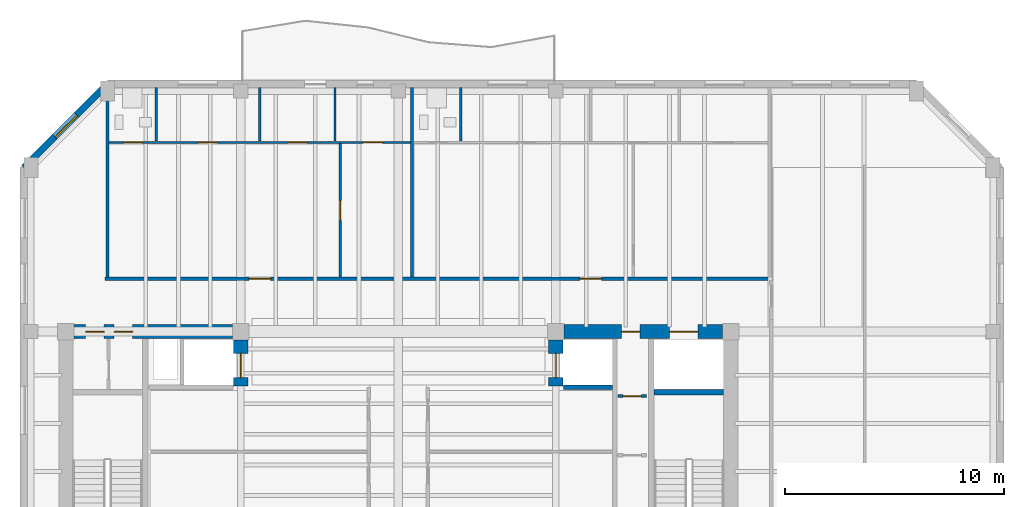
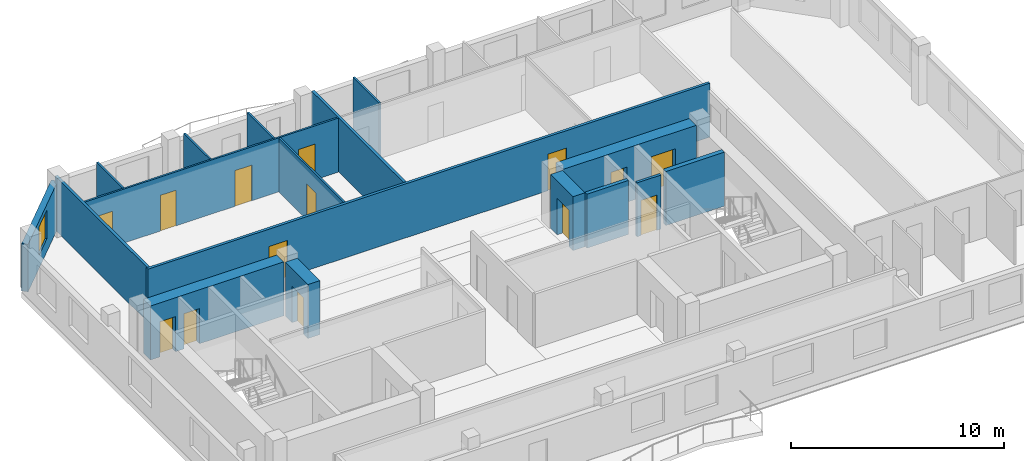
# One storey, part 4 of 9: 17 walls, 14 doors, 1 window, 15 openings.
"""IFC4 building model written with IfcOpenShell, lengths in metres."""

from ifc_helpers import new_model, si_unit, direction, frame, frame_2d, origin, place, context, subcontext, project, spatial, rectangle, extrude, material, layer, layer_set, type_object, element, fill, save


model = new_model("IFC4")

# Units and contexts
model_context = context("Model", 3, precision=1e-05, world=origin(), true_north=direction((0.0, 1.0)))
body_context = subcontext(model_context, "Body", "Model", "MODEL_VIEW")
ifc_project = project(units=[si_unit("LENGTHUNIT", "METRE"), si_unit("AREAUNIT", "SQUARE_METRE"), si_unit("VOLUMEUNIT", "CUBIC_METRE"), si_unit("PLANEANGLEUNIT", "RADIAN"), si_unit("MASSUNIT", "GRAM", prefix="KILO")], contexts=[model_context])

# Site, building, storey
site_placement = place(None, origin())
site = spatial("IfcSite", under=ifc_project, at=site_placement, CompositionType="ELEMENT")
building_placement = place(site_placement, origin())
building = spatial("IfcBuilding", under=site, at=building_placement, Name="Kranthara Brick Stack", CompositionType="ELEMENT")
storey_placement = place(building_placement, frame((0.0, 0.0, 251.699951171875)))
storey = spatial("IfcBuildingStorey", under=building, at=storey_placement, Name="L66", CompositionType="ELEMENT", Elevation=251.699951171875)

# Wall, opening, window
ifc_material_1 = material(Name="Warm buff clay brick masonry M15", Category="masonry")
ifc_layer_1 = layer(ifc_material_1, 0.320068359375)
ifc_layer_set_1 = layer_set([ifc_layer_1], Name="Warm buff clay brick masonry M15")
wall_type_1 = type_object("IfcWallType", Name="WL-BRK-UPPR-320", PredefinedType="STANDARD", material=ifc_layer_set_1)
wall_1_placement = place(storey_placement, frame((10.8798828125, 41.10009765625, 0.0), z_axis=(0.0, 0.0, 1.0), x_axis=(0.70712937715, 0.707084184501, 0.0)))
wall_1 = element("IfcWall", 1, at=wall_1_placement, inside=storey, type_object=wall_type_1, Name="L66 Exterior Brick Facade Wall NW 1", PredefinedType="STANDARD", context=body_context, shape_type="SweptSolid", body=[
    extrude(rectangle(XDim=5.402099609375, YDim=0.320068359375, at=frame_2d((2.701171875, 0.0))), origin(), (0.0, 0.0, 1.0), 2.72509765625),
])
opening_1_placement = place(wall_1_placement, frame((2.0009765625, 0.0, 0.75)))
opening_1 = element("IfcOpeningElement", 2, at=opening_1_placement, cuts=wall_1, Name="Opening WN10", PredefinedType="OPENING", context=body_context, shape_type="SweptSolid", body=[
    extrude(rectangle(XDim=1.39990234375, YDim=1.64990234375, at=frame_2d((0.699951171875, 0.824951171875))), frame((0.0, 0.169921875, 0.0), z_axis=(0.0, -1.0, 0.0), x_axis=(1.0, 0.0, 0.0)), (0.0, 0.0, 1.0), 0.340087890625),
])
ifc_material_2 = material(Name="Double-glazed low-E solar control glass", Category="glass")
window_type = type_object("IfcWindowType", Name="WN-CHM-1400x1750", PartitioningType="SINGLE_PANEL", PredefinedType="WINDOW", material=ifc_material_2)
window_placement = place(opening_1_placement, origin())
window = element("IfcWindow", 3, at=window_placement, inside=storey, type_object=window_type, Name="L66 NW Chamfer Corner Window", OverallHeight=1.64990234375, OverallWidth=1.39990234375, PartitioningType="SINGLE_PANEL", PredefinedType="WINDOW", context=body_context, shape_type="SweptSolid", body=[
    extrude(rectangle(XDim=1.39990234375, YDim=1.64990234375, at=frame_2d((0.699951171875, 0.824951171875))), frame((0.0, -0.010009765625, 0.0), z_axis=(0.0, -1.0, 0.0), x_axis=(1.0, 0.0, 0.0)), (0.0, 0.0, 1.0), 0.06005859375),
])
fill(opening_1, window)

# Wall
ifc_material_3 = material(Name="Concrete C50/60", Category="concrete")
ifc_layer_2 = layer(ifc_material_3, 0.25)
ifc_layer_set_2 = layer_set([ifc_layer_2], Name="Concrete C50/60")
wall_type_2 = type_object("IfcWallType", Name="WL-CORE-250", PredefinedType="SHEAR", material=ifc_layer_set_2)
wall_2_placement = place(storey_placement, frame((39.68994140625, 30.830078125, 0.0), z_axis=(0.0, 0.0, 1.0), x_axis=(1.0, 0.0, 0.0)))
element("IfcWall", 4, at=wall_2_placement, inside=storey, type_object=wall_type_2, Name="L66 East Stairwell Bearing Wall EST", PredefinedType="SHEAR", context=body_context, shape_type="SweptSolid", body=[
    extrude(rectangle(XDim=3.175048828125, YDim=0.25, at=frame_2d((1.58740234375, 0.0))), origin(), (0.0, 0.0, 1.0), 3.10009765625),
])

# Wall, openings, doors
ifc_material_4 = material(Name="Concrete C60/75", Category="concrete")
ifc_layer_3 = layer(ifc_material_4, 0.64990234375)
ifc_layer_set_3 = layer_set([ifc_layer_3], Name="Concrete C60/75")
wall_type_3 = type_object("IfcWallType", Name="WL-CORE-650", PredefinedType="SHEAR", material=ifc_layer_set_3)
wall_3_placement = place(storey_placement, frame((13.179931640625, 33.60009765625, 0.0), z_axis=(0.0, 0.0, 1.0), x_axis=(1.0, 0.0, 0.0)))
wall_3 = element("IfcWall", 5, at=wall_3_placement, inside=storey, type_object=wall_type_3, Name="L66 West Core Shear Wall North", PredefinedType="SHEAR", context=body_context, shape_type="SweptSolid", body=[
    extrude(rectangle(XDim=7.239990234375, YDim=0.64990234375, at=frame_2d((3.6201171875, 0.0))), origin(), (0.0, 0.0, 1.0), 3.10009765625),
])
opening_2_placement = place(wall_3_placement, frame((0.52001953125, 0.0, 0.0)))
opening_2 = element("IfcOpeningElement", 6, at=opening_2_placement, cuts=wall_3, Name="Opening D10", PredefinedType="OPENING", context=body_context, shape_type="SweptSolid", body=[
    extrude(rectangle(XDim=0.85009765625, YDim=2.02001953125, at=frame_2d((0.425048828125, 1.010009765625))), frame((0.0, 0.3349609375, 0.0), z_axis=(0.0, -1.0, 0.0), x_axis=(1.0, 0.0, 0.0)), (0.0, 0.0, 1.0), 0.669921875),
])
opening_3_placement = place(wall_3_placement, frame((1.820068359375, 0.0, 0.0)))
opening_3 = element("IfcOpeningElement", 7, at=opening_3_placement, cuts=wall_3, Name="Opening D10", PredefinedType="OPENING", context=body_context, shape_type="SweptSolid", body=[
    extrude(rectangle(XDim=0.85009765625, YDim=2.02001953125, at=frame_2d((0.425048828125, 1.010009765625))), frame((0.0, 0.3349609375, 0.0), z_axis=(0.0, -1.0, 0.0), x_axis=(1.0, 0.0, 0.0)), (0.0, 0.0, 1.0), 0.669921875),
])
ifc_material_5 = material(Name="Solid-core hardwood timber leaf in steel frame", Category="steel")
door_type_1 = type_object("IfcDoorType", Name="DR-RSR-850", OperationType="NOTDEFINED", PredefinedType="DOOR", material=ifc_material_5)
door_1_placement = place(opening_2_placement, origin())
door_1 = element("IfcDoor", 8, at=door_1_placement, inside=storey, type_object=door_type_1, Name="L66 West Core Service Door 1", OperationType="SINGLE_SWING_LEFT", OverallHeight=2.02001953125, OverallWidth=0.85009765625, PredefinedType="DOOR", context=body_context, shape_type="SweptSolid", body=[
    extrude(rectangle(XDim=0.85009765625, YDim=2.02001953125, at=frame_2d((0.425048828125, 1.010009765625))), frame((0.0, 0.02490234375, 0.0), z_axis=(0.0, -1.0, 0.0), x_axis=(1.0, 0.0, 0.0)), (0.0, 0.0, 1.0), 0.050048828125),
])
fill(opening_2, door_1)
door_2_placement = place(opening_3_placement, origin())
door_2 = element("IfcDoor", 9, at=door_2_placement, inside=storey, type_object=door_type_1, Name="L66 West Core Service Door 2", OperationType="SINGLE_SWING_RIGHT", OverallHeight=2.02001953125, OverallWidth=0.85009765625, PredefinedType="DOOR", context=body_context, shape_type="SweptSolid", body=[
    extrude(rectangle(XDim=0.85009765625, YDim=2.02001953125, at=frame_2d((0.425048828125, 1.010009765625))), frame((0.0, 0.02490234375, 0.0), z_axis=(0.0, -1.0, 0.0), x_axis=(1.0, 0.0, 0.0)), (0.0, 0.0, 1.0), 0.050048828125),
])
fill(opening_3, door_2)

# Wall, opening, door
wall_4_placement = place(storey_placement, frame((20.800048828125, 31.10009765625, 0.0), z_axis=(0.0, 0.0, 1.0), x_axis=(0.0, 1.0, 0.0)))
wall_4 = element("IfcWall", 10, at=wall_4_placement, inside=storey, type_object=wall_type_3, Name="L66 West Core High-Rise Lift Wall", PredefinedType="SHEAR", context=body_context, shape_type="SweptSolid", body=[
    extrude(rectangle(XDim=2.119873046875, YDim=0.64990234375, at=frame_2d((1.06005859375, 0.0))), origin(), (0.0, 0.0, 1.0), 3.10009765625),
])
opening_4_placement = place(wall_4_placement, frame((0.39990234375, 0.0, 0.0)))
opening_4 = element("IfcOpeningElement", 11, at=opening_4_placement, cuts=wall_4, Name="Opening LD02", PredefinedType="OPENING", context=body_context, shape_type="SweptSolid", body=[
    extrude(rectangle(XDim=1.10009765625, YDim=2.10009765625, at=frame_2d((0.550048828125, 1.050048828125))), frame((0.0, 0.3349609375, 0.0), z_axis=(0.0, -1.0, 0.0), x_axis=(1.0, 0.0, 0.0)), (0.0, 0.0, 1.0), 0.669921875),
])
ifc_material_6 = material(Name="Stainless steel sliding landing door", Category="steel")
door_type_2 = type_object("IfcDoorType", Name="DR-LD-PL1100", OperationType="DOUBLE_DOOR_SLIDING", PredefinedType="DOOR", material=ifc_material_6)
door_3_placement = place(opening_4_placement, origin())
door_3 = element("IfcDoor", 12, at=door_3_placement, inside=storey, type_object=door_type_2, Name="L66 PL-07 Lift Landing Door", OperationType="DOUBLE_DOOR_SLIDING", OverallHeight=2.10009765625, OverallWidth=1.10009765625, PredefinedType="DOOR", context=body_context, shape_type="SweptSolid", body=[
    extrude(rectangle(XDim=1.10009765625, YDim=2.10009765625, at=frame_2d((0.550048828125, 1.050048828125))), frame((0.0, 0.02490234375, 0.0), z_axis=(0.0, -1.0, 0.0), x_axis=(1.0, 0.0, 0.0)), (0.0, 0.0, 1.0), 0.050048828125),
])
fill(opening_4, door_3)

# Wall, openings, doors
wall_5_placement = place(storey_placement, frame((35.580078125, 33.60009765625, 0.0), z_axis=(0.0, 0.0, 1.0), x_axis=(1.0, 0.0, 0.0)))
wall_5 = element("IfcWall", 13, at=wall_5_placement, inside=storey, type_object=wall_type_3, Name="L66 East Core Shear Wall North", PredefinedType="SHEAR", context=body_context, shape_type="SweptSolid", body=[
    extrude(rectangle(XDim=7.239990234375, YDim=0.64990234375, at=frame_2d((3.6201171875, 0.0))), origin(), (0.0, 0.0, 1.0), 3.10009765625),
])
opening_5_placement = place(wall_5_placement, frame((4.820068359375, 0.0, 0.0)))
opening_5 = element("IfcOpeningElement", 14, at=opening_5_placement, cuts=wall_5, Name="Opening LD03", PredefinedType="OPENING", context=body_context, shape_type="SweptSolid", body=[
    extrude(rectangle(XDim=1.300048828125, YDim=2.14990234375, at=frame_2d((0.64990234375, 1.074951171875))), frame((0.0, 0.3349609375, 0.0), z_axis=(0.0, -1.0, 0.0), x_axis=(1.0, 0.0, 0.0)), (0.0, 0.0, 1.0), 0.669921875),
])
opening_6_placement = place(wall_5_placement, frame((2.6201171875, 0.0, 0.0)))
opening_6 = element("IfcOpeningElement", 15, at=opening_6_placement, cuts=wall_5, Name="Opening D10", PredefinedType="OPENING", context=body_context, shape_type="SweptSolid", body=[
    extrude(rectangle(XDim=0.85009765625, YDim=2.02001953125, at=frame_2d((0.425048828125, 1.010009765625))), frame((0.0, 0.3349609375, 0.0), z_axis=(0.0, -1.0, 0.0), x_axis=(1.0, 0.0, 0.0)), (0.0, 0.0, 1.0), 0.669921875),
])
ifc_material_7 = material(Name="Stainless steel sliding landing door", Category="steel")
door_type_3 = type_object("IfcDoorType", Name="DR-LD-SV1300", OperationType="DOUBLE_DOOR_SLIDING", PredefinedType="DOOR", material=ifc_material_7)
door_4_placement = place(opening_5_placement, origin())
door_4 = element("IfcDoor", 16, at=door_4_placement, inside=storey, type_object=door_type_3, Name="L66 Stretcher Service Lift SV-01 Landing Door", OperationType="DOUBLE_DOOR_SLIDING", OverallHeight=2.14990234375, OverallWidth=1.300048828125, PredefinedType="DOOR", context=body_context, shape_type="SweptSolid", body=[
    extrude(rectangle(XDim=1.300048828125, YDim=2.14990234375, at=frame_2d((0.64990234375, 1.074951171875))), frame((0.0, 0.02490234375, 0.0), z_axis=(0.0, -1.0, 0.0), x_axis=(1.0, 0.0, 0.0)), (0.0, 0.0, 1.0), 0.050048828125),
])
fill(opening_5, door_4)
door_5_placement = place(opening_6_placement, origin())
door_5 = element("IfcDoor", 17, at=door_5_placement, inside=storey, type_object=door_type_1, Name="L66 East Core Service Room Door", OperationType="SINGLE_SWING_LEFT", OverallHeight=2.02001953125, OverallWidth=0.85009765625, PredefinedType="DOOR", context=body_context, shape_type="SweptSolid", body=[
    extrude(rectangle(XDim=0.85009765625, YDim=2.02001953125, at=frame_2d((0.425048828125, 1.010009765625))), frame((0.0, 0.02490234375, 0.0), z_axis=(0.0, -1.0, 0.0), x_axis=(1.0, 0.0, 0.0)), (0.0, 0.0, 1.0), 0.050048828125),
])
fill(opening_6, door_5)

# Wall, opening, door
wall_6_placement = place(storey_placement, frame((35.199951171875, 31.10009765625, 0.0), z_axis=(0.0, 0.0, 1.0), x_axis=(0.0, 1.0, 0.0)))
wall_6 = element("IfcWall", 18, at=wall_6_placement, inside=storey, type_object=wall_type_3, Name="L66 East Core High-Rise Lift Wall", PredefinedType="SHEAR", context=body_context, shape_type="SweptSolid", body=[
    extrude(rectangle(XDim=2.119873046875, YDim=0.64990234375, at=frame_2d((1.06005859375, 0.0))), origin(), (0.0, 0.0, 1.0), 3.10009765625),
])
opening_7_placement = place(wall_6_placement, frame((0.39990234375, 0.0, 0.0)))
opening_7 = element("IfcOpeningElement", 19, at=opening_7_placement, cuts=wall_6, Name="Opening LD02", PredefinedType="OPENING", context=body_context, shape_type="SweptSolid", body=[
    extrude(rectangle(XDim=1.10009765625, YDim=2.10009765625, at=frame_2d((0.550048828125, 1.050048828125))), frame((0.0, 0.3349609375, 0.0), z_axis=(0.0, -1.0, 0.0), x_axis=(1.0, 0.0, 0.0)), (0.0, 0.0, 1.0), 0.669921875),
])
door_6_placement = place(opening_7_placement, origin())
door_6 = element("IfcDoor", 20, at=door_6_placement, inside=storey, type_object=door_type_2, Name="L66 PL-08 Lift Landing Door", OperationType="DOUBLE_DOOR_SLIDING", OverallHeight=2.10009765625, OverallWidth=1.10009765625, PredefinedType="DOOR", context=body_context, shape_type="SweptSolid", body=[
    extrude(rectangle(XDim=1.10009765625, YDim=2.10009765625, at=frame_2d((0.550048828125, 1.050048828125))), frame((0.0, 0.02490234375, 0.0), z_axis=(0.0, -1.0, 0.0), x_axis=(1.0, 0.0, 0.0)), (0.0, 0.0, 1.0), 0.050048828125),
])
fill(opening_7, door_6)

# Wall, openings, doors
ifc_material_8 = material(Name="Moisture-resistant wet-room partition", Category="other")
ifc_layer_4 = layer(ifc_material_8, 0.10009765625)
ifc_layer_set_4 = layer_set([ifc_layer_4], Name="Moisture-resistant wet-room partition")
wall_type_4 = type_object("IfcWallType", Name="WL-PART-100", PredefinedType="PARTITIONING", material=ifc_layer_set_4)
wall_7_placement = place(storey_placement, frame((14.780029296875, 42.25, 0.0), z_axis=(0.0, 0.0, 1.0), x_axis=(1.0, 0.0, 0.0)))
wall_7 = element("IfcWall", 21, at=wall_7_placement, inside=storey, type_object=wall_type_4, Name="L66 Interior Partition 015", PredefinedType="PARTITIONING", context=body_context, shape_type="SweptSolid", body=[
    extrude(rectangle(XDim=13.888916015625, YDim=0.10009765625, at=frame_2d((6.9443359375, 0.0))), origin(), (0.0, 0.0, 1.0), 3.10009765625),
])
opening_8_placement = place(wall_7_placement, frame((0.64990234375, 0.0, 0.0)))
opening_8 = element("IfcOpeningElement", 22, at=opening_8_placement, cuts=wall_7, Name="Opening D17", PredefinedType="OPENING", context=body_context, shape_type="SweptSolid", body=[
    extrude(rectangle(XDim=0.85009765625, YDim=2.050048828125, at=frame_2d((0.425048828125, 1.02490234375))), frame((0.0, 0.06005859375, 0.0), z_axis=(0.0, -1.0, 0.0), x_axis=(1.0, 0.0, 0.0)), (0.0, 0.0, 1.0), 0.1201171875),
])
opening_9_placement = place(wall_7_placement, frame((4.093017578125, 0.0, 0.0)))
opening_9 = element("IfcOpeningElement", 23, at=opening_9_placement, cuts=wall_7, Name="Opening D16", PredefinedType="OPENING", context=body_context, shape_type="SweptSolid", body=[
    extrude(rectangle(XDim=0.85009765625, YDim=2.050048828125, at=frame_2d((0.425048828125, 1.02490234375))), frame((0.0, 0.06005859375, 0.0), z_axis=(0.0, -1.0, 0.0), x_axis=(1.0, 0.0, 0.0)), (0.0, 0.0, 1.0), 0.1201171875),
])
opening_10_placement = place(wall_7_placement, frame((8.156005859375, 0.0, 0.0)))
opening_10 = element("IfcOpeningElement", 24, at=opening_10_placement, cuts=wall_7, Name="Opening D15", PredefinedType="OPENING", context=body_context, shape_type="SweptSolid", body=[
    extrude(rectangle(XDim=0.89990234375, YDim=2.050048828125, at=frame_2d((0.449951171875, 1.02490234375))), frame((0.0, 0.06005859375, 0.0), z_axis=(0.0, -1.0, 0.0), x_axis=(1.0, 0.0, 0.0)), (0.0, 0.0, 1.0), 0.1201171875),
])
opening_11_placement = place(wall_7_placement, frame((11.597900390625, 0.0, 0.0)))
opening_11 = element("IfcOpeningElement", 25, at=opening_11_placement, cuts=wall_7, Name="Opening D15", PredefinedType="OPENING", context=body_context, shape_type="SweptSolid", body=[
    extrude(rectangle(XDim=0.89990234375, YDim=2.050048828125, at=frame_2d((0.449951171875, 1.02490234375))), frame((0.0, 0.06005859375, 0.0), z_axis=(0.0, -1.0, 0.0), x_axis=(1.0, 0.0, 0.0)), (0.0, 0.0, 1.0), 0.1201171875),
])
ifc_material_9 = material(Name="Solid-core hardwood timber leaf in steel frame", Category="steel")
door_type_4 = type_object("IfcDoorType", Name="DR-INT-850", OperationType="NOTDEFINED", PredefinedType="DOOR", material=ifc_material_9)
door_7_placement = place(opening_9_placement, origin())
door_7 = element("IfcDoor", 26, at=door_7_placement, inside=storey, type_object=door_type_4, Name="L66 Unit L66A Kitchen 12", OperationType="SINGLE_SWING_RIGHT", OverallHeight=2.050048828125, OverallWidth=0.85009765625, PredefinedType="DOOR", context=body_context, shape_type="SweptSolid", body=[
    extrude(rectangle(XDim=0.85009765625, YDim=2.050048828125, at=frame_2d((0.425048828125, 1.02490234375))), frame((0.0, 0.02490234375, 0.0), z_axis=(0.0, -1.0, 0.0), x_axis=(1.0, 0.0, 0.0)), (0.0, 0.0, 1.0), 0.050048828125),
])
fill(opening_9, door_7)
ifc_material_10 = material(Name="Solid-core hardwood timber leaf in steel frame", Category="steel")
door_type_5 = type_object("IfcDoorType", Name="DR-INT-900", OperationType="NOTDEFINED", PredefinedType="DOOR", material=ifc_material_10)
door_8_placement = place(opening_10_placement, origin())
door_8 = element("IfcDoor", 27, at=door_8_placement, inside=storey, type_object=door_type_5, Name="L66 Unit L66A Master Bedroom 13", OperationType="SINGLE_SWING_LEFT", OverallHeight=2.050048828125, OverallWidth=0.89990234375, PredefinedType="DOOR", context=body_context, shape_type="SweptSolid", body=[
    extrude(rectangle(XDim=0.89990234375, YDim=2.050048828125, at=frame_2d((0.449951171875, 1.02490234375))), frame((0.0, 0.02490234375, 0.0), z_axis=(0.0, -1.0, 0.0), x_axis=(1.0, 0.0, 0.0)), (0.0, 0.0, 1.0), 0.050048828125),
])
fill(opening_10, door_8)
door_9_placement = place(opening_11_placement, origin())
door_9 = element("IfcDoor", 28, at=door_9_placement, inside=storey, type_object=door_type_5, Name="L66 Unit L66A Bedroom 2 14", OperationType="SINGLE_SWING_RIGHT", OverallHeight=2.050048828125, OverallWidth=0.89990234375, PredefinedType="DOOR", context=body_context, shape_type="SweptSolid", body=[
    extrude(rectangle(XDim=0.89990234375, YDim=2.050048828125, at=frame_2d((0.449951171875, 1.02490234375))), frame((0.0, 0.02490234375, 0.0), z_axis=(0.0, -1.0, 0.0), x_axis=(1.0, 0.0, 0.0)), (0.0, 0.0, 1.0), 0.050048828125),
])
fill(opening_11, door_9)
ifc_material_11 = material(Name="Solid-core hardwood timber leaf in steel frame", Category="steel")
door_type_6 = type_object("IfcDoorType", Name="DR-WET-850", OperationType="NOTDEFINED", PredefinedType="DOOR", material=ifc_material_11)
door_10_placement = place(opening_8_placement, origin())
door_10 = element("IfcDoor", 29, at=door_10_placement, inside=storey, type_object=door_type_6, Name="L66 Unit L66A Bathroom 11", OperationType="SINGLE_SWING_LEFT", OverallHeight=2.050048828125, OverallWidth=0.85009765625, PredefinedType="DOOR", context=body_context, shape_type="SweptSolid", body=[
    extrude(rectangle(XDim=0.85009765625, YDim=2.050048828125, at=frame_2d((0.425048828125, 1.02490234375))), frame((0.0, 0.02490234375, 0.0), z_axis=(0.0, -1.0, 0.0), x_axis=(1.0, 0.0, 0.0)), (0.0, 0.0, 1.0), 0.050048828125),
])
fill(opening_8, door_10)

# Wall, opening, door
wall_8_placement = place(storey_placement, frame((25.34912109375, 36.10009765625, 0.0), z_axis=(0.0, 0.0, 1.0), x_axis=(0.0, 1.0, 0.0)))
wall_8 = element("IfcWall", 30, at=wall_8_placement, inside=storey, type_object=wall_type_4, Name="L66 Interior Partition 016", PredefinedType="PARTITIONING", context=body_context, shape_type="SweptSolid", body=[
    extrude(rectangle(XDim=6.094970703125, YDim=0.10009765625, at=frame_2d((3.04736328125, 0.0))), origin(), (0.0, 0.0, 1.0), 3.10009765625),
])
opening_12_placement = place(wall_8_placement, frame((2.5849609375, 0.0, 0.0)))
opening_12 = element("IfcOpeningElement", 31, at=opening_12_placement, cuts=wall_8, Name="Opening D15", PredefinedType="OPENING", context=body_context, shape_type="SweptSolid", body=[
    extrude(rectangle(XDim=0.89990234375, YDim=2.050048828125, at=frame_2d((0.449951171875, 1.02490234375))), frame((0.0, 0.06005859375, 0.0), z_axis=(0.0, -1.0, 0.0), x_axis=(1.0, 0.0, 0.0)), (0.0, 0.0, 1.0), 0.1201171875),
])
door_11_placement = place(opening_12_placement, origin())
door_11 = element("IfcDoor", 32, at=door_11_placement, inside=storey, type_object=door_type_5, Name="L66 Unit L66A Bedroom 3 10", OperationType="SINGLE_SWING_RIGHT", OverallHeight=2.050048828125, OverallWidth=0.89990234375, PredefinedType="DOOR", context=body_context, shape_type="SweptSolid", body=[
    extrude(rectangle(XDim=0.89990234375, YDim=2.050048828125, at=frame_2d((0.449951171875, 1.02490234375))), frame((0.0, 0.02490234375, 0.0), z_axis=(0.0, -1.0, 0.0), x_axis=(1.0, 0.0, 0.0)), (0.0, 0.0, 1.0), 0.050048828125),
])
fill(opening_12, door_11)

# Walls
for number, where, z_axis, x_axis, name in (
    (33, (16.929931640625, 42.304931640625, 0.0), (0.0, 0.0, 1.0), (0.0, 1.0, 0.0), "L66 Interior Partition 017"),
    (34, (21.6650390625, 42.304931640625, 0.0), (0.0, 0.0, 1.0), (0.0, 1.0, 0.0), "L66 Interior Partition 018"),
    (35, (25.10693359375, 42.304931640625, 0.0), (0.0, 0.0, 1.0), (0.0, 1.0, 0.0), "L66 Interior Partition 019"),
    (36, (30.85888671875, 42.304931640625, 0.0), (0.0, 0.0, 1.0), (0.0, 1.0, 0.0), "L66 Interior Partition 023"),
):
    element("IfcWall", number, at=place(storey_placement, frame(where, z_axis=z_axis, x_axis=x_axis)), inside=storey, type_object=wall_type_4, Name=name, PredefinedType="PARTITIONING", context=body_context, shape_type="SweptSolid", body=[
        extrude(rectangle(XDim=2.449951171875, YDim=0.10009765625, at=frame_2d((1.22509765625, 0.0))), origin(), (0.0, 0.0, 1.0), 3.10009765625),
    ])

# Wall, opening, door
ifc_material_12 = material(Name="Fire-rated gypsum board partition", Category="other")
ifc_layer_5 = layer(ifc_material_12, 0.14990234375)
ifc_layer_set_5 = layer_set([ifc_layer_5], Name="Fire-rated gypsum board partition")
wall_type_5 = type_object("IfcWallType", Name="WL-PART-150", PredefinedType="PARTITIONING", material=ifc_layer_set_5)
wall_9_placement = place(storey_placement, frame((38.050048828125, 30.64990234375, 0.0), z_axis=(0.0, 0.0, 1.0), x_axis=(1.0, 0.0, 0.0)))
wall_9 = element("IfcWall", 37, at=wall_9_placement, inside=storey, type_object=wall_type_5, Name="L66 Interior Partition 003", PredefinedType="PARTITIONING", context=body_context, shape_type="SweptSolid", body=[
    extrude(rectangle(XDim=1.300048828125, YDim=0.14990234375, at=frame_2d((0.64990234375, 0.0))), origin(), (0.0, 0.0, 1.0), 3.10009765625),
])
opening_13_placement = place(wall_9_placement, frame((0.219970703125, 0.0, 0.0)))
opening_13 = element("IfcOpeningElement", 38, at=opening_13_placement, cuts=wall_9, Name="Opening D10", PredefinedType="OPENING", context=body_context, shape_type="SweptSolid", body=[
    extrude(rectangle(XDim=0.85009765625, YDim=2.02001953125, at=frame_2d((0.425048828125, 1.010009765625))), frame((0.0, 0.0849609375, 0.0), z_axis=(0.0, -1.0, 0.0), x_axis=(1.0, 0.0, 0.0)), (0.0, 0.0, 1.0), 0.169921875),
])
door_12_placement = place(opening_13_placement, origin())
door_12 = element("IfcDoor", 39, at=door_12_placement, inside=storey, type_object=door_type_1, Name="L66 Riser Door 2 03", OperationType="SINGLE_SWING_LEFT", OverallHeight=2.02001953125, OverallWidth=0.85009765625, PredefinedType="DOOR", context=body_context, shape_type="SweptSolid", body=[
    extrude(rectangle(XDim=0.85009765625, YDim=2.02001953125, at=frame_2d((0.425048828125, 1.010009765625))), frame((0.0, 0.02490234375, 0.0), z_axis=(0.0, -1.0, 0.0), x_axis=(1.0, 0.0, 0.0)), (0.0, 0.0, 1.0), 0.050048828125),
])
fill(opening_13, door_12)

# Wall, openings, doors
wall_10_placement = place(storey_placement, frame((14.580078125, 36.02001953125, 0.0), z_axis=(0.0, 0.0, 1.0), x_axis=(1.0, 0.0, 0.0)))
wall_10 = element("IfcWall", 40, at=wall_10_placement, inside=storey, type_object=wall_type_5, Name="L66 Interior Partition 013", PredefinedType="PARTITIONING", context=body_context, shape_type="SweptSolid", body=[
    extrude(rectangle(XDim=30.52001953125, YDim=0.14990234375, at=frame_2d((15.260009765625, 0.0))), origin(), (0.0, 0.0, 1.0), 3.10009765625),
])
opening_14_placement = place(wall_10_placement, frame((6.5849609375, 0.0, 0.0)))
opening_14 = element("IfcOpeningElement", 41, at=opening_14_placement, cuts=wall_10, Name="Opening D08", PredefinedType="OPENING", context=body_context, shape_type="SweptSolid", body=[
    extrude(rectangle(XDim=1.0, YDim=2.10009765625, at=frame_2d((0.5, 1.050048828125))), frame((0.0, 0.0849609375, 0.0), z_axis=(0.0, -1.0, 0.0), x_axis=(1.0, 0.0, 0.0)), (0.0, 0.0, 1.0), 0.169921875),
])
opening_15_placement = place(wall_10_placement, frame((21.72412109375, 0.0, 0.0)))
opening_15 = element("IfcOpeningElement", 42, at=opening_15_placement, cuts=wall_10, Name="Opening D08", PredefinedType="OPENING", context=body_context, shape_type="SweptSolid", body=[
    extrude(rectangle(XDim=1.0, YDim=2.10009765625, at=frame_2d((0.5, 1.050048828125))), frame((0.0, 0.0849609375, 0.0), z_axis=(0.0, -1.0, 0.0), x_axis=(1.0, 0.0, 0.0)), (0.0, 0.0, 1.0), 0.169921875),
])
ifc_material_13 = material(Name="Solid-core hardwood timber leaf in steel frame", Category="steel")
door_type_7 = type_object("IfcDoorType", Name="DR-FD-1000", OperationType="NOTDEFINED", PredefinedType="DOOR", material=ifc_material_13)
door_13_placement = place(opening_14_placement, origin())
door_13 = element("IfcDoor", 43, at=door_13_placement, inside=storey, type_object=door_type_7, Name="L66 Unit L66A Entrance 09", OperationType="SINGLE_SWING_LEFT", OverallHeight=2.10009765625, OverallWidth=1.0, PredefinedType="DOOR", context=body_context, shape_type="SweptSolid", body=[
    extrude(rectangle(XDim=1.0, YDim=2.10009765625, at=frame_2d((0.5, 1.050048828125))), frame((0.0, 0.02490234375, 0.0), z_axis=(0.0, -1.0, 0.0), x_axis=(1.0, 0.0, 0.0)), (0.0, 0.0, 1.0), 0.050048828125),
])
fill(opening_14, door_13)
door_14_placement = place(opening_15_placement, origin())
door_14 = element("IfcDoor", 44, at=door_14_placement, inside=storey, type_object=door_type_7, Name="L66 Unit L66B Entrance 15", OperationType="SINGLE_SWING_LEFT", OverallHeight=2.10009765625, OverallWidth=1.0, PredefinedType="DOOR", context=body_context, shape_type="SweptSolid", body=[
    extrude(rectangle(XDim=1.0, YDim=2.10009765625, at=frame_2d((0.5, 1.050048828125))), frame((0.0, 0.02490234375, 0.0), z_axis=(0.0, -1.0, 0.0), x_axis=(1.0, 0.0, 0.0)), (0.0, 0.0, 1.0), 0.050048828125),
])
fill(opening_15, door_14)

# Walls
for number, where, z_axis, x_axis, name in (
    (45, (14.699951171875, 36.10009765625, 0.0), (0.0, 0.0, 1.0), (0.0, 1.0, 0.0), "L66 Interior Partition 014"),
    (46, (28.62890625, 36.10009765625, 0.0), (0.0, 0.0, 1.0), (0.0, 1.0, 0.0), "L66 Interior Partition 020"),
):
    element("IfcWall", number, at=place(storey_placement, frame(where, z_axis=z_axis, x_axis=x_axis)), inside=storey, type_object=wall_type_5, Name=name, PredefinedType="PARTITIONING", context=body_context, shape_type="SweptSolid", body=[
        extrude(rectangle(XDim=8.65478515625, YDim=0.14990234375, at=frame_2d((4.327392578125, 0.0))), origin(), (0.0, 0.0, 1.0), 3.10009765625),
    ])
ifc_material_14 = material(Name="Concrete C40/50", Category="concrete")
ifc_layer_6 = layer(ifc_material_14, 0.199951171875)
ifc_layer_set_6 = layer_set([ifc_layer_6], Name="Concrete C40/50")
wall_type_6 = type_object("IfcWallType", Name="WL-PART-200", PredefinedType="SOLIDWALL", material=ifc_layer_set_6)
wall_11_placement = place(storey_placement, frame((35.550048828125, 31.050048828125, 0.0), z_axis=(0.0, 0.0, 1.0), x_axis=(1.0, 0.0, 0.0)))
element("IfcWall", 47, at=wall_11_placement, inside=storey, type_object=wall_type_6, Name="L66 East Core Cross Wall EE4", PredefinedType="SOLIDWALL", context=body_context, shape_type="SweptSolid", body=[
    extrude(rectangle(XDim=2.25, YDim=0.199951171875, at=frame_2d((1.125, 0.0))), origin(), (0.0, 0.0, 1.0), 3.10009765625),
])

save(model, "model.ifc")
